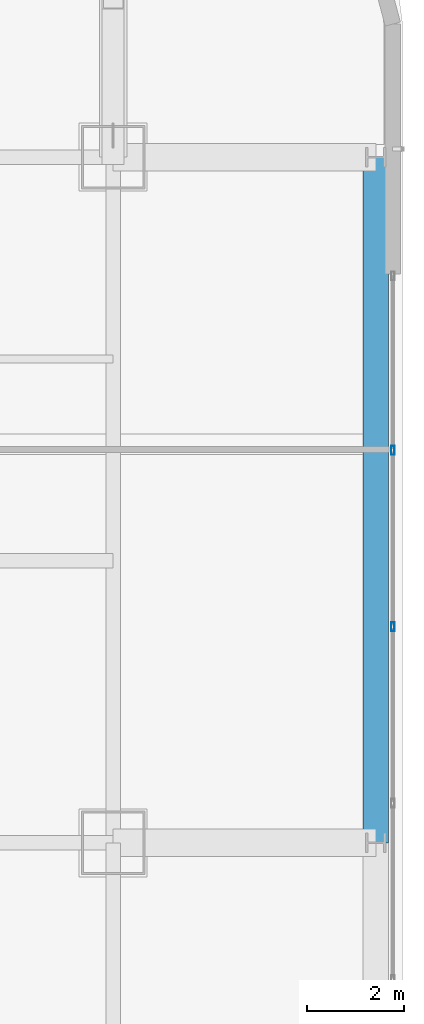
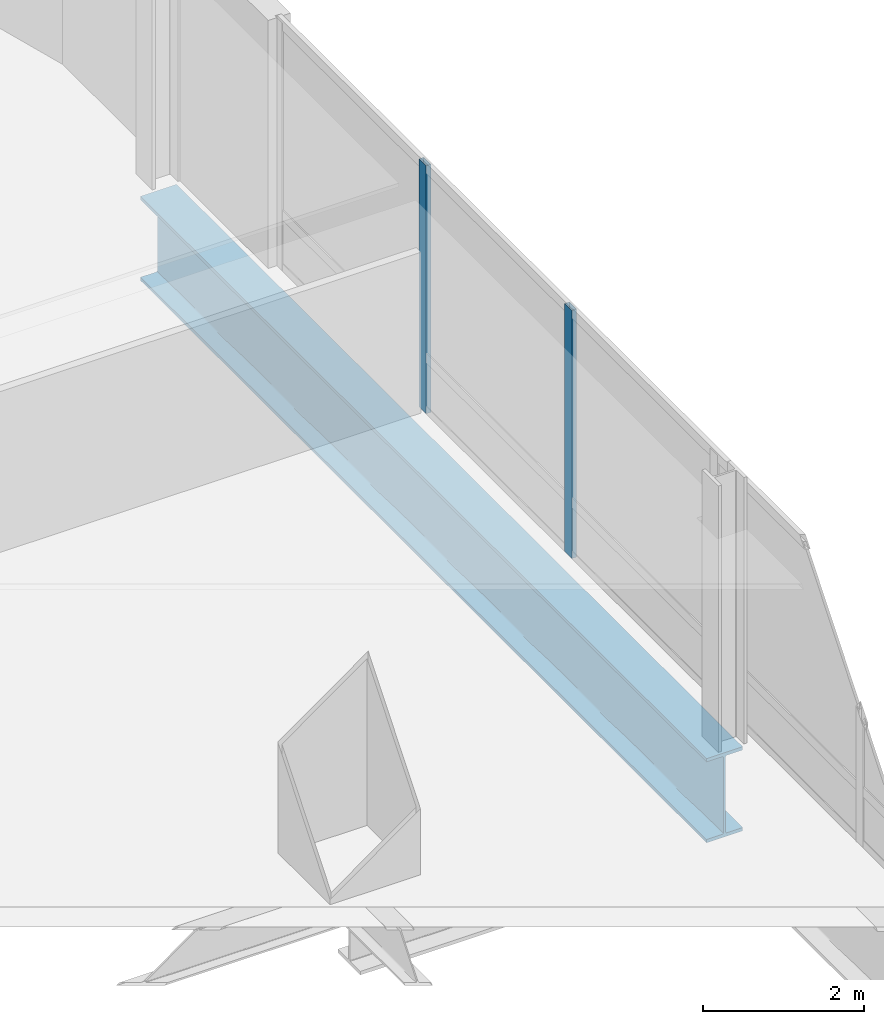
# One storey, part 22 of 51: 2 members, 1 beam, 1 element without a shape of its own.
"""IFC4 building model written with IfcOpenShell, lengths in metres."""

from ifc_helpers import new_model, si_unit, direction, frame, origin, origin_2d, place, context, subcontext, project, spatial, hollow_rectangle, i_section, extrude, material, material_profile, profile_set, type_object, element, aggregate, save


model = new_model("IFC4")

# Units and contexts
model_context = context("Model", 3, precision=1e-05, world=origin(), true_north=direction((0.0, 1.0)))
body_context = subcontext(model_context, "Body", "Model", "MODEL_VIEW")
ifc_project = project(units=[si_unit("LENGTHUNIT", "METRE"), si_unit("AREAUNIT", "SQUARE_METRE"), si_unit("VOLUMEUNIT", "CUBIC_METRE"), si_unit("PLANEANGLEUNIT", "RADIAN"), si_unit("MASSUNIT", "GRAM", prefix="KILO")], contexts=[model_context])

# Site, building, storey
site_placement = place(None, origin())
site = spatial("IfcSite", under=ifc_project, at=site_placement, CompositionType="ELEMENT")
building_placement = place(site_placement, origin())
building = spatial("IfcBuilding", under=site, at=building_placement, Name="Punatoya Terracotta Tower", CompositionType="ELEMENT")
storey_placement = place(building_placement, frame((0.0, 0.0, 279.75)))
storey = spatial("IfcBuildingStorey", under=building, at=storey_placement, Name="L66", CompositionType="ELEMENT", Elevation=279.75)

# Beam
ifc_material_1 = material(Name="Steel S460", Category="steel")
ifc_material_profile_1 = material_profile(ifc_material_1, i_section(OverallWidth=0.52001953125, OverallDepth=1.280029296875, WebThickness=0.031982421875, FlangeThickness=0.050048828125, FilletRadius=0.01806640625, at=origin_2d()))
ifc_profile_set_1 = profile_set([ifc_material_profile_1], Name="Steel S460")
beam_type = type_object("IfcBeamType", Name="BM-TG-NCK", PredefinedType="BEAM", material=ifc_profile_set_1)
beam_placement = place(storey_placement, frame((24.5, 3.39990234375, -0.840087890625), z_axis=(0.0, 1.0, 0.0), x_axis=(-1.0, 0.0, 0.0)))
element("IfcBeam", 1, at=beam_placement, inside=storey, type_object=beam_type, Name="BM-L66-PER-E3", PredefinedType="BEAM", context=body_context, shape_type="SweptSolid", body=[
    extrude(i_section(OverallWidth=0.52001953125, OverallDepth=1.280029296875, WebThickness=0.031982421875, FlangeThickness=0.050048828125, FilletRadius=0.01806640625, at=origin_2d()), origin(), (0.0, 0.0, 1.0), 14.10009765625),
])

# Curtain wall, members
ifc_material_2 = material(Name="Aluminium 6063-T6 + Double Low-E Glass", Category="aluminium")
curtain_wall_type = type_object("IfcCurtainWallType", Name="CW-M3", PredefinedType="NOTDEFINED", material=ifc_material_2)
curtain_wall_placement = place(storey_placement, origin())
curtain_wall = element("IfcCurtainWall", 2, at=curtain_wall_placement, inside=storey, type_object=curtain_wall_type, Name="L66 Curtain Wall CW-L66-E05-1", PredefinedType="NOTDEFINED")
ifc_material_3 = material(Name="Aluminium 6063-T6", Category="aluminium")
ifc_material_profile_2 = material_profile(ifc_material_3, hollow_rectangle(XDim=0.070068359375, YDim=0.179931640625, WallThickness=0.00390625, at=origin_2d()))
ifc_profile_set_2 = profile_set([ifc_material_profile_2], Name="Aluminium 6063-T6")
member_type = type_object("IfcMemberType", Name="CW-MUL-M3", PredefinedType="MULLION", material=ifc_profile_set_2)
member_1_placement = place(storey_placement, frame((24.85009765625, 7.843017578125, 0.0), z_axis=(0.0, 0.0, 1.0), x_axis=(1.0, 0.0, 0.0)))
member_1 = element("IfcMember", 3, at=member_1_placement, type_object=member_type, Name="CW-L66-E05-1 Mullion 05", PredefinedType="MULLION", context=body_context, shape_type="SweptSolid", body=[
    extrude(hollow_rectangle(XDim=0.070068359375, YDim=0.179931640625, WallThickness=0.00390625, at=origin_2d()), origin(), (0.0, 0.0, 1.0), 3.77001953125),
])
member_2_placement = place(storey_placement, frame((24.85009765625, 11.471435546875, 0.0), z_axis=(0.0, 0.0, 1.0), x_axis=(1.0, 0.0, 0.0)))
member_2 = element("IfcMember", 4, at=member_2_placement, type_object=member_type, Name="CW-L66-E05-1 Mullion 06", PredefinedType="MULLION", context=body_context, shape_type="SweptSolid", body=[
    extrude(hollow_rectangle(XDim=0.070068359375, YDim=0.179931640625, WallThickness=0.00390625, at=origin_2d()), origin(), (0.0, 0.0, 1.0), 3.77001953125),
])
aggregate(curtain_wall, [member_1, member_2])

save(model, "model.ifc")
